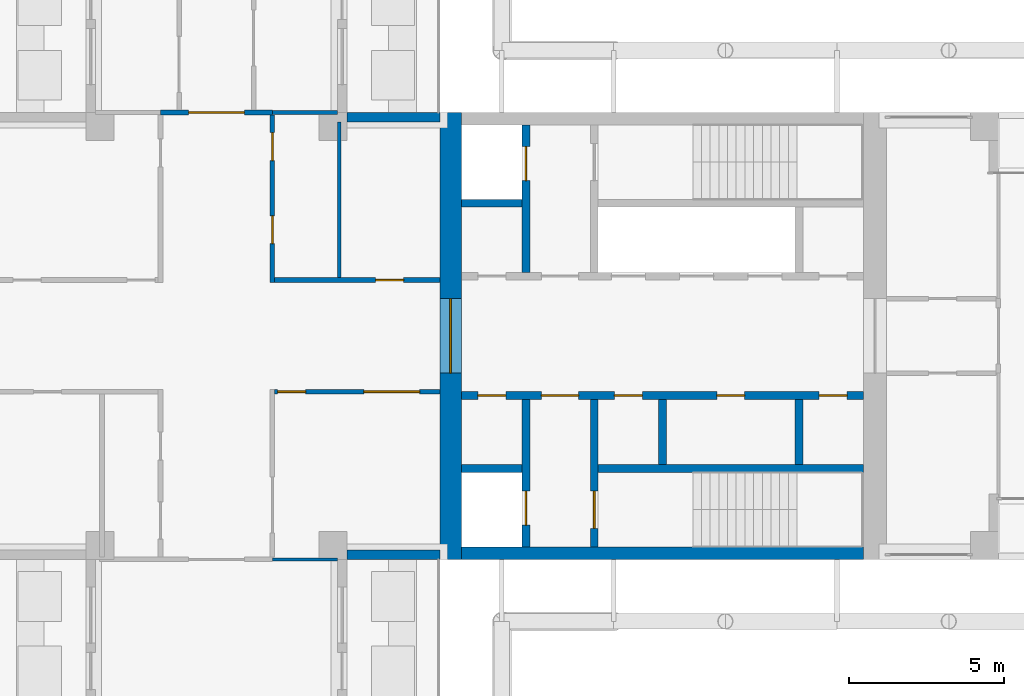
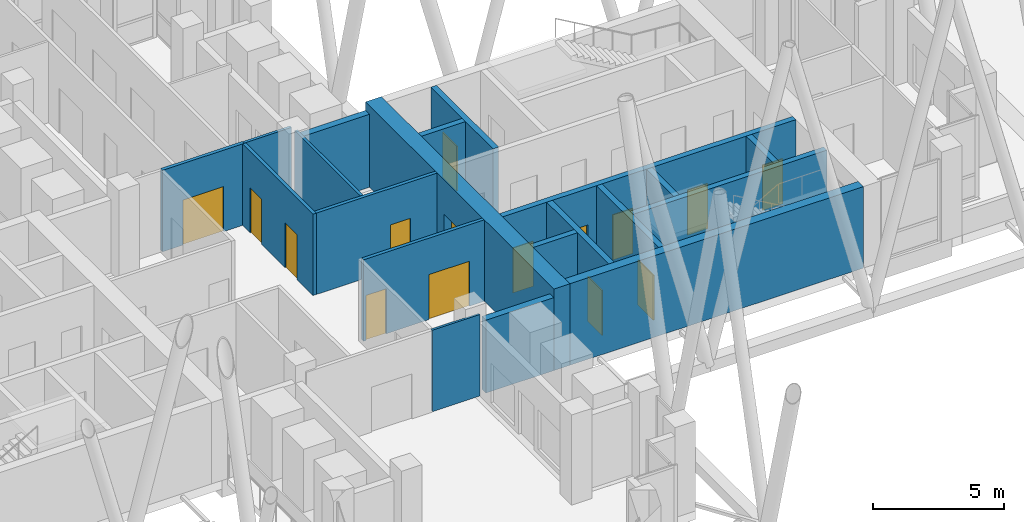
# One storey, part 13 of 19: 20 walls, 15 doors, 15 openings.
"""IFC4 building model written with IfcOpenShell, lengths in metres."""

from ifc_helpers import new_model, si_unit, direction, frame, frame_2d, origin, place, context, subcontext, project, spatial, rectangle, extrude, material, layer, layer_set, type_object, element, fill, save


model = new_model("IFC4")

# Units and contexts
model_context = context("Model", 3, precision=1e-05, world=origin(), true_north=direction((0.0, 1.0)))
body_context = subcontext(model_context, "Body", "Model", "MODEL_VIEW")
ifc_project = project(units=[si_unit("LENGTHUNIT", "METRE"), si_unit("AREAUNIT", "SQUARE_METRE"), si_unit("VOLUMEUNIT", "CUBIC_METRE"), si_unit("PLANEANGLEUNIT", "RADIAN"), si_unit("MASSUNIT", "GRAM", prefix="KILO")], contexts=[model_context])

# Site, building, storey
site_placement = place(None, origin())
site = spatial("IfcSite", under=ifc_project, at=site_placement, CompositionType="ELEMENT")
building_placement = place(site_placement, origin())
building = spatial("IfcBuilding", under=site, at=building_placement, Name="Fustian Cross Tower", CompositionType="ELEMENT")
storey_placement = place(building_placement, frame((0.0, 0.0, 166.5)))
storey = spatial("IfcBuildingStorey", under=building, at=storey_placement, Name="L52", CompositionType="ELEMENT", Elevation=166.5)

# Wall, opening, door
ifc_material_1 = material(Name="Plasterboard on steel stud", Category="steel")
ifc_layer_1 = layer(ifc_material_1, 0.14990234375)
ifc_layer_set_1 = layer_set([ifc_layer_1], Name="Plasterboard on steel stud")
wall_type_1 = type_object("IfcWallType", Name="COMPARTMENT WALL 150 EI 60", PredefinedType="PARTITIONING", material=ifc_layer_set_1)
wall_1_placement = place(storey_placement, frame((-1.800048828125, 7.199951171875, 0.0), z_axis=(0.0, 0.0, 1.0), x_axis=(1.0, 0.0, 0.0)))
wall_1 = element("IfcWall", 1, at=wall_1_placement, inside=storey, type_object=wall_type_1, Name="Partition 13", PredefinedType="PARTITIONING", context=body_context, shape_type="SweptSolid", body=[
    extrude(rectangle(XDim=3.60009765625, YDim=0.14990234375, at=frame_2d((1.800048828125, 0.0))), origin(), (0.0, 0.0, 1.0), 3.800048828125),
])
opening_1_placement = place(wall_1_placement, frame((0.89990234375, 0.0, 0.0)))
opening_1 = element("IfcOpeningElement", 2, at=opening_1_placement, cuts=wall_1, Name="Opening D24013", PredefinedType="OPENING", context=body_context, shape_type="SweptSolid", body=[
    extrude(rectangle(XDim=1.800048828125, YDim=2.10009765625, at=frame_2d((0.89990234375, 1.050048828125))), frame((0.0, 0.0849609375, 0.0), z_axis=(0.0, -1.0, 0.0), x_axis=(1.0, 0.0, 0.0)), (0.0, 0.0, 1.0), 0.169921875),
])
ifc_material_2 = material(Name="Timber fire door set", Category="wood")
door_type_1 = type_object("IfcDoorType", Name="FIRE DOUBLE DOOR 1800 FD30S", OperationType="DOUBLE_DOOR_DOUBLE_SWING", PredefinedType="DOOR", material=ifc_material_2)
door_1_placement = place(opening_1_placement, frame((1.800048828125, 0.0, 0.0), z_axis=(0.0, 0.0, 1.0), x_axis=(-1.0, 0.0, 0.0)))
door_1 = element("IfcDoor", 3, at=door_1_placement, inside=storey, type_object=door_type_1, Name="Door D24013", OperationType="DOUBLE_DOOR_DOUBLE_SWING", OverallHeight=2.10009765625, OverallWidth=1.800048828125, PredefinedType="DOOR", context=body_context, shape_type="SweptSolid", body=[
    extrude(rectangle(XDim=1.800048828125, YDim=2.10009765625, at=frame_2d((0.89990234375, 1.050048828125))), frame((0.0, 0.02490234375, 0.0), z_axis=(0.0, -1.0, 0.0), x_axis=(1.0, 0.0, 0.0)), (0.0, 0.0, 1.0), 0.050048828125),
])
fill(opening_1, door_1)

# Wall, openings, doors
wall_2_placement = place(storey_placement, frame((1.875, -1.800048828125, 0.0), z_axis=(0.0, 0.0, 1.0), x_axis=(1.0, 0.0, 0.0)))
wall_2 = element("IfcWall", 4, at=wall_2_placement, inside=storey, type_object=wall_type_1, Name="Partition 19", PredefinedType="PARTITIONING", context=body_context, shape_type="SweptSolid", body=[
    extrude(rectangle(XDim=5.324951171875, YDim=0.14990234375, at=frame_2d((2.66259765625, 0.0))), origin(), (0.0, 0.0, 1.0), 3.800048828125),
])
opening_2_placement = place(wall_2_placement, frame((0.10009765625, 0.0, 0.0)))
opening_2 = element("IfcOpeningElement", 5, at=opening_2_placement, cuts=wall_2, Name="Opening D24011", PredefinedType="OPENING", context=body_context, shape_type="SweptSolid", body=[
    extrude(rectangle(XDim=0.89990234375, YDim=2.10009765625, at=frame_2d((0.449951171875, 1.050048828125))), frame((0.0, 0.0849609375, 0.0), z_axis=(0.0, -1.0, 0.0), x_axis=(1.0, 0.0, 0.0)), (0.0, 0.0, 1.0), 0.169921875),
])
opening_3_placement = place(wall_2_placement, frame((2.875, 0.0, 0.0)))
opening_3 = element("IfcOpeningElement", 6, at=opening_3_placement, cuts=wall_2, Name="Opening D24012", PredefinedType="OPENING", context=body_context, shape_type="SweptSolid", body=[
    extrude(rectangle(XDim=1.800048828125, YDim=2.10009765625, at=frame_2d((0.89990234375, 1.050048828125))), frame((0.0, 0.0849609375, 0.0), z_axis=(0.0, -1.0, 0.0), x_axis=(1.0, 0.0, 0.0)), (0.0, 0.0, 1.0), 0.169921875),
])
door_2_placement = place(opening_3_placement, frame((1.800048828125, 0.0, 0.0), z_axis=(0.0, 0.0, 1.0), x_axis=(-1.0, 0.0, 0.0)))
door_2 = element("IfcDoor", 7, at=door_2_placement, inside=storey, type_object=door_type_1, Name="Door D24012", OperationType="DOUBLE_DOOR_DOUBLE_SWING", OverallHeight=2.10009765625, OverallWidth=1.800048828125, PredefinedType="DOOR", context=body_context, shape_type="SweptSolid", body=[
    extrude(rectangle(XDim=1.800048828125, YDim=2.10009765625, at=frame_2d((0.89990234375, 1.050048828125))), frame((0.0, 0.02490234375, 0.0), z_axis=(0.0, -1.0, 0.0), x_axis=(1.0, 0.0, 0.0)), (0.0, 0.0, 1.0), 0.050048828125),
])
fill(opening_3, door_2)
ifc_material_3 = material(Name="Timber fire door set", Category="wood")
door_type_2 = type_object("IfcDoorType", Name="FIRE SWING DOOR 900 FD30S", OperationType="SINGLE_SWING_LEFT", PredefinedType="DOOR", material=ifc_material_3)
door_3_placement = place(opening_2_placement, origin())
door_3 = element("IfcDoor", 8, at=door_3_placement, inside=storey, type_object=door_type_2, Name="Door D24011", OperationType="SINGLE_SWING_RIGHT", OverallHeight=2.10009765625, OverallWidth=0.89990234375, PredefinedType="DOOR", context=body_context, shape_type="SweptSolid", body=[
    extrude(rectangle(XDim=0.89990234375, YDim=2.10009765625, at=frame_2d((0.449951171875, 1.050048828125))), frame((0.0, 0.02490234375, 0.0), z_axis=(0.0, -1.0, 0.0), x_axis=(1.0, 0.0, 0.0)), (0.0, 0.0, 1.0), 0.050048828125),
])
fill(opening_2, door_3)

wall_3_placement = place(storey_placement, frame((1.800048828125, 1.72509765625, 0.0), z_axis=(0.0, 0.0, 1.0), x_axis=(0.0, 1.0, 0.0)))
wall_3 = element("IfcWall", 9, at=wall_3_placement, inside=storey, type_object=wall_type_1, Name="Partition 20", PredefinedType="PARTITIONING", context=body_context, shape_type="SweptSolid", body=[
    extrude(rectangle(XDim=5.39990234375, YDim=0.14990234375, at=frame_2d((2.699951171875, 0.0))), origin(), (0.0, 0.0, 1.0), 3.800048828125),
])
opening_4_placement = place(wall_3_placement, frame((1.2451171875, 0.0, 0.0)))
opening_4 = element("IfcOpeningElement", 10, at=opening_4_placement, cuts=wall_3, Name="Opening D24001", PredefinedType="OPENING", context=body_context, shape_type="SweptSolid", body=[
    extrude(rectangle(XDim=0.89990234375, YDim=2.10009765625, at=frame_2d((0.449951171875, 1.050048828125))), frame((0.0, 0.0849609375, 0.0), z_axis=(0.0, -1.0, 0.0), x_axis=(1.0, 0.0, 0.0)), (0.0, 0.0, 1.0), 0.169921875),
])
opening_5_placement = place(wall_3_placement, frame((3.925048828125, 0.0, 0.0)))
opening_5 = element("IfcOpeningElement", 11, at=opening_5_placement, cuts=wall_3, Name="Opening D24002", PredefinedType="OPENING", context=body_context, shape_type="SweptSolid", body=[
    extrude(rectangle(XDim=0.89990234375, YDim=2.10009765625, at=frame_2d((0.449951171875, 1.050048828125))), frame((0.0, 0.0849609375, 0.0), z_axis=(0.0, -1.0, 0.0), x_axis=(1.0, 0.0, 0.0)), (0.0, 0.0, 1.0), 0.169921875),
])
door_4_placement = place(opening_4_placement, frame((0.89990234375, 0.0, 0.0), z_axis=(0.0, 0.0, 1.0), x_axis=(-1.0, 0.0, 0.0)))
door_4 = element("IfcDoor", 12, at=door_4_placement, inside=storey, type_object=door_type_2, Name="Door D24001", OperationType="SINGLE_SWING_RIGHT", OverallHeight=2.10009765625, OverallWidth=0.89990234375, PredefinedType="DOOR", context=body_context, shape_type="SweptSolid", body=[
    extrude(rectangle(XDim=0.89990234375, YDim=2.10009765625, at=frame_2d((0.449951171875, 1.050048828125))), frame((0.0, 0.02490234375, 0.0), z_axis=(0.0, -1.0, 0.0), x_axis=(1.0, 0.0, 0.0)), (0.0, 0.0, 1.0), 0.050048828125),
])
fill(opening_4, door_4)
door_5_placement = place(opening_5_placement, frame((0.89990234375, 0.0, 0.0), z_axis=(0.0, 0.0, 1.0), x_axis=(-1.0, 0.0, 0.0)))
door_5 = element("IfcDoor", 13, at=door_5_placement, inside=storey, type_object=door_type_2, Name="Door D24002", OperationType="SINGLE_SWING_LEFT", OverallHeight=2.10009765625, OverallWidth=0.89990234375, PredefinedType="DOOR", context=body_context, shape_type="SweptSolid", body=[
    extrude(rectangle(XDim=0.89990234375, YDim=2.10009765625, at=frame_2d((0.449951171875, 1.050048828125))), frame((0.0, 0.02490234375, 0.0), z_axis=(0.0, -1.0, 0.0), x_axis=(1.0, 0.0, 0.0)), (0.0, 0.0, 1.0), 0.050048828125),
])
fill(opening_5, door_5)

# Wall, opening, door
wall_4_placement = place(storey_placement, frame((1.875, 1.800048828125, 0.0), z_axis=(0.0, 0.0, 1.0), x_axis=(1.0, 0.0, 0.0)))
wall_4 = element("IfcWall", 14, at=wall_4_placement, inside=storey, type_object=wall_type_1, Name="Partition 21", PredefinedType="PARTITIONING", context=body_context, shape_type="SweptSolid", body=[
    extrude(rectangle(XDim=5.324951171875, YDim=0.14990234375, at=frame_2d((2.66259765625, 0.0))), origin(), (0.0, 0.0, 1.0), 3.800048828125),
])
opening_6_placement = place(wall_4_placement, frame((3.2548828125, 0.0, 0.0)))
opening_6 = element("IfcOpeningElement", 15, at=opening_6_placement, cuts=wall_4, Name="Opening D24003", PredefinedType="OPENING", context=body_context, shape_type="SweptSolid", body=[
    extrude(rectangle(XDim=0.89990234375, YDim=2.10009765625, at=frame_2d((0.449951171875, 1.050048828125))), frame((0.0, 0.0849609375, 0.0), z_axis=(0.0, -1.0, 0.0), x_axis=(1.0, 0.0, 0.0)), (0.0, 0.0, 1.0), 0.169921875),
])
door_6_placement = place(opening_6_placement, origin())
door_6 = element("IfcDoor", 16, at=door_6_placement, inside=storey, type_object=door_type_2, Name="Door D24003", OperationType="SINGLE_SWING_LEFT", OverallHeight=2.10009765625, OverallWidth=0.89990234375, PredefinedType="DOOR", context=body_context, shape_type="SweptSolid", body=[
    extrude(rectangle(XDim=0.89990234375, YDim=2.10009765625, at=frame_2d((0.449951171875, 1.050048828125))), frame((0.0, 0.02490234375, 0.0), z_axis=(0.0, -1.0, 0.0), x_axis=(1.0, 0.0, 0.0)), (0.0, 0.0, 1.0), 0.050048828125),
])
fill(opening_6, door_6)

ifc_material_4 = material(Name="Concrete C50/60", Category="concrete")
ifc_layer_2 = layer(ifc_material_4, 0.699951171875)
ifc_layer_set_2 = layer_set([ifc_layer_2], Name="Concrete C50/60")
wall_type_2 = type_object("IfcWallType", Name="CORE END WALL 700 C50/60", PredefinedType="SHEAR", material=ifc_layer_set_2)
wall_5_placement = place(storey_placement, frame((7.550048828125, -7.199951171875, 0.0), z_axis=(0.0, 0.0, 1.0), x_axis=(0.0, 1.0, 0.0)))
wall_5 = element("IfcWall", 17, at=wall_5_placement, inside=storey, type_object=wall_type_2, Name="Core end wall", PredefinedType="SHEAR", context=body_context, shape_type="SweptSolid", body=[
    extrude(rectangle(XDim=14.39990234375, YDim=0.699951171875, at=frame_2d((7.199951171875, 0.0))), origin(), (0.0, 0.0, 1.0), 3.800048828125),
])
opening_7_placement = place(wall_5_placement, frame((6.0, 0.0, 0.0)))
opening_7 = element("IfcOpeningElement", 18, at=opening_7_placement, cuts=wall_5, Name="Opening CD-21-12", PredefinedType="OPENING", context=body_context, shape_type="SweptSolid", body=[
    extrude(rectangle(XDim=2.39990234375, YDim=2.199951171875, at=frame_2d((1.199951171875, 1.10009765625))), frame((0.0, 0.35986328125, 0.0), z_axis=(0.0, -1.0, 0.0), x_axis=(1.0, 0.0, 0.0)), (0.0, 0.0, 1.0), 0.719970703125),
])
ifc_material_5 = material(Name="Steel", Category="steel")
door_type_3 = type_object("IfcDoorType", Name="FIRE DOOR FD30S DOUBLE 2400X2200", OperationType="DOUBLE_DOOR_DOUBLE_SWING", PredefinedType="DOOR", material=ifc_material_5)
door_7_placement = place(opening_7_placement, origin())
door_7 = element("IfcDoor", 19, at=door_7_placement, inside=storey, type_object=door_type_3, Name="Core door CD-21-12", OperationType="DOUBLE_DOOR_DOUBLE_SWING", OverallHeight=2.199951171875, OverallWidth=2.39990234375, PredefinedType="DOOR", context=body_context, shape_type="SweptSolid", body=[
    extrude(rectangle(XDim=2.39990234375, YDim=2.199951171875, at=frame_2d((1.199951171875, 1.10009765625))), frame((0.0, 0.02490234375, 0.0), z_axis=(0.0, -1.0, 0.0), x_axis=(1.0, 0.0, 0.0)), (0.0, 0.0, 1.0), 0.050048828125),
])
fill(opening_7, door_7)

# Wall
ifc_material_6 = material(Name="Concrete C50/60", Category="concrete")
ifc_layer_3 = layer(ifc_material_6, 0.39990234375)
ifc_layer_set_3 = layer_set([ifc_layer_3], Name="Concrete C50/60")
wall_type_3 = type_object("IfcWallType", Name="CORE FACADE WALL 400 C50/60", PredefinedType="SHEAR", material=ifc_layer_set_3)
wall_6_placement = place(storey_placement, frame((7.89990234375, -7.0, 0.0), z_axis=(0.0, 0.0, 1.0), x_axis=(1.0, 0.0, 0.0)))
element("IfcWall", 20, at=wall_6_placement, inside=storey, type_object=wall_type_3, Name="Core facade wall", PredefinedType="SHEAR", context=body_context, shape_type="SweptSolid", body=[
    extrude(rectangle(XDim=12.9501953125, YDim=0.39990234375, at=frame_2d((6.47509765625, 0.0))), origin(), (0.0, 0.0, 1.0), 3.800048828125),
])

# Wall, openings, doors
ifc_material_7 = material(Name="Concrete C50/60", Category="concrete")
ifc_layer_4 = layer(ifc_material_7, 0.25)
ifc_layer_set_4 = layer_set([ifc_layer_4], Name="Concrete C50/60")
wall_type_4 = type_object("IfcWallType", Name="CORE LOBBY WALL 250 C50/60", PredefinedType="SHEAR", material=ifc_layer_set_4)
wall_7_placement = place(storey_placement, frame((7.89990234375, -1.925048828125, 0.0), z_axis=(0.0, 0.0, 1.0), x_axis=(1.0, 0.0, 0.0)))
wall_7 = element("IfcWall", 21, at=wall_7_placement, inside=storey, type_object=wall_type_4, Name="Core lobby wall", PredefinedType="SHEAR", context=body_context, shape_type="SweptSolid", body=[
    extrude(rectangle(XDim=12.9501953125, YDim=0.25, at=frame_2d((6.47509765625, 0.0))), origin(), (0.0, 0.0, 1.0), 3.800048828125),
])
opening_8_placement = place(wall_7_placement, frame((0.52490234375, 0.0, 0.0)))
opening_8 = element("IfcOpeningElement", 22, at=opening_8_placement, cuts=wall_7, Name="Opening CD-21-09", PredefinedType="OPENING", context=body_context, shape_type="SweptSolid", body=[
    extrude(rectangle(XDim=0.89990234375, YDim=2.10009765625, at=frame_2d((0.449951171875, 1.050048828125))), frame((0.0, 0.135009765625, 0.0), z_axis=(0.0, -1.0, 0.0), x_axis=(1.0, 0.0, 0.0)), (0.0, 0.0, 1.0), 0.27001953125),
])
opening_9_placement = place(wall_7_placement, frame((2.574951171875, 0.0, 0.0)))
opening_9 = element("IfcOpeningElement", 23, at=opening_9_placement, cuts=wall_7, Name="Opening CD-21-11", PredefinedType="OPENING", context=body_context, shape_type="SweptSolid", body=[
    extrude(rectangle(XDim=1.199951171875, YDim=2.10009765625, at=frame_2d((0.60009765625, 1.050048828125))), frame((0.0, 0.135009765625, 0.0), z_axis=(0.0, -1.0, 0.0), x_axis=(1.0, 0.0, 0.0)), (0.0, 0.0, 1.0), 0.27001953125),
])
opening_10_placement = place(wall_7_placement, frame((4.925048828125, 0.0, 0.0)))
opening_10 = element("IfcOpeningElement", 24, at=opening_10_placement, cuts=wall_7, Name="Opening CD-21-15", PredefinedType="OPENING", context=body_context, shape_type="SweptSolid", body=[
    extrude(rectangle(XDim=0.89990234375, YDim=2.10009765625, at=frame_2d((0.449951171875, 1.050048828125))), frame((0.0, 0.135009765625, 0.0), z_axis=(0.0, -1.0, 0.0), x_axis=(1.0, 0.0, 0.0)), (0.0, 0.0, 1.0), 0.27001953125),
])
opening_11_placement = place(wall_7_placement, frame((8.22509765625, 0.0, 0.0)))
opening_11 = element("IfcOpeningElement", 25, at=opening_11_placement, cuts=wall_7, Name="Opening CD-21-16", PredefinedType="OPENING", context=body_context, shape_type="SweptSolid", body=[
    extrude(rectangle(XDim=0.89990234375, YDim=2.10009765625, at=frame_2d((0.449951171875, 1.050048828125))), frame((0.0, 0.135009765625, 0.0), z_axis=(0.0, -1.0, 0.0), x_axis=(1.0, 0.0, 0.0)), (0.0, 0.0, 1.0), 0.27001953125),
])
opening_12_placement = place(wall_7_placement, frame((11.52490234375, 0.0, 0.0)))
opening_12 = element("IfcOpeningElement", 26, at=opening_12_placement, cuts=wall_7, Name="Opening CD-21-17", PredefinedType="OPENING", context=body_context, shape_type="SweptSolid", body=[
    extrude(rectangle(XDim=0.89990234375, YDim=2.10009765625, at=frame_2d((0.449951171875, 1.050048828125))), frame((0.0, 0.135009765625, 0.0), z_axis=(0.0, -1.0, 0.0), x_axis=(1.0, 0.0, 0.0)), (0.0, 0.0, 1.0), 0.27001953125),
])
ifc_material_8 = material(Name="Steel", Category="steel")
door_type_4 = type_object("IfcDoorType", Name="FIRE DOOR FD30S 1200X2100", OperationType="SINGLE_SWING_LEFT", PredefinedType="DOOR", material=ifc_material_8)
door_8_placement = place(opening_9_placement, frame((1.199951171875, 0.0, 0.0), z_axis=(0.0, 0.0, 1.0), x_axis=(-1.0, 0.0, 0.0)))
door_8 = element("IfcDoor", 27, at=door_8_placement, inside=storey, type_object=door_type_4, Name="Core door CD-21-11", OperationType="SINGLE_SWING_RIGHT", OverallHeight=2.10009765625, OverallWidth=1.199951171875, PredefinedType="DOOR", context=body_context, shape_type="SweptSolid", body=[
    extrude(rectangle(XDim=1.199951171875, YDim=2.10009765625, at=frame_2d((0.60009765625, 1.050048828125))), frame((0.0, 0.02490234375, 0.0), z_axis=(0.0, -1.0, 0.0), x_axis=(1.0, 0.0, 0.0)), (0.0, 0.0, 1.0), 0.050048828125),
])
fill(opening_9, door_8)
ifc_material_9 = material(Name="Steel", Category="steel")
door_type_5 = type_object("IfcDoorType", Name="FIRE DOOR FD30S 900X2100", OperationType="SINGLE_SWING_LEFT", PredefinedType="DOOR", material=ifc_material_9)
door_9_placement = place(opening_8_placement, frame((0.89990234375, 0.0, 0.0), z_axis=(0.0, 0.0, 1.0), x_axis=(-1.0, 0.0, 0.0)))
door_9 = element("IfcDoor", 28, at=door_9_placement, inside=storey, type_object=door_type_5, Name="Core door CD-21-09", OperationType="SINGLE_SWING_RIGHT", OverallHeight=2.10009765625, OverallWidth=0.89990234375, PredefinedType="DOOR", context=body_context, shape_type="SweptSolid", body=[
    extrude(rectangle(XDim=0.89990234375, YDim=2.10009765625, at=frame_2d((0.449951171875, 1.050048828125))), frame((0.0, 0.02490234375, 0.0), z_axis=(0.0, -1.0, 0.0), x_axis=(1.0, 0.0, 0.0)), (0.0, 0.0, 1.0), 0.050048828125),
])
fill(opening_8, door_9)
door_10_placement = place(opening_10_placement, frame((0.89990234375, 0.0, 0.0), z_axis=(0.0, 0.0, 1.0), x_axis=(-1.0, 0.0, 0.0)))
door_10 = element("IfcDoor", 29, at=door_10_placement, inside=storey, type_object=door_type_5, Name="Core door CD-21-15", OperationType="SINGLE_SWING_RIGHT", OverallHeight=2.10009765625, OverallWidth=0.89990234375, PredefinedType="DOOR", context=body_context, shape_type="SweptSolid", body=[
    extrude(rectangle(XDim=0.89990234375, YDim=2.10009765625, at=frame_2d((0.449951171875, 1.050048828125))), frame((0.0, 0.02490234375, 0.0), z_axis=(0.0, -1.0, 0.0), x_axis=(1.0, 0.0, 0.0)), (0.0, 0.0, 1.0), 0.050048828125),
])
fill(opening_10, door_10)
door_11_placement = place(opening_11_placement, frame((0.89990234375, 0.0, 0.0), z_axis=(0.0, 0.0, 1.0), x_axis=(-1.0, 0.0, 0.0)))
door_11 = element("IfcDoor", 30, at=door_11_placement, inside=storey, type_object=door_type_5, Name="Core door CD-21-16", OperationType="SINGLE_SWING_LEFT", OverallHeight=2.10009765625, OverallWidth=0.89990234375, PredefinedType="DOOR", context=body_context, shape_type="SweptSolid", body=[
    extrude(rectangle(XDim=0.89990234375, YDim=2.10009765625, at=frame_2d((0.449951171875, 1.050048828125))), frame((0.0, 0.02490234375, 0.0), z_axis=(0.0, -1.0, 0.0), x_axis=(1.0, 0.0, 0.0)), (0.0, 0.0, 1.0), 0.050048828125),
])
fill(opening_11, door_11)
door_12_placement = place(opening_12_placement, frame((0.89990234375, 0.0, 0.0), z_axis=(0.0, 0.0, 1.0), x_axis=(-1.0, 0.0, 0.0)))
door_12 = element("IfcDoor", 31, at=door_12_placement, inside=storey, type_object=door_type_5, Name="Core door CD-21-17", OperationType="SINGLE_SWING_RIGHT", OverallHeight=2.10009765625, OverallWidth=0.89990234375, PredefinedType="DOOR", context=body_context, shape_type="SweptSolid", body=[
    extrude(rectangle(XDim=0.89990234375, YDim=2.10009765625, at=frame_2d((0.449951171875, 1.050048828125))), frame((0.0, 0.02490234375, 0.0), z_axis=(0.0, -1.0, 0.0), x_axis=(1.0, 0.0, 0.0)), (0.0, 0.0, 1.0), 0.050048828125),
])
fill(opening_12, door_12)

# Wall
ifc_material_10 = material(Name="Concrete C50/60", Category="concrete")
ifc_layer_5 = layer(ifc_material_10, 0.25)
ifc_layer_set_5 = layer_set([ifc_layer_5], Name="Concrete C50/60")
wall_type_5 = type_object("IfcWallType", Name="CORE SHAFT WALL 250 C50/60", PredefinedType="SHEAR", material=ifc_layer_set_5)
wall_8_placement = place(storey_placement, frame((7.89990234375, 4.27490234375, 0.0), z_axis=(0.0, 0.0, 1.0), x_axis=(1.0, 0.0, 0.0)))
element("IfcWall", 32, at=wall_8_placement, inside=storey, type_object=wall_type_5, Name="Core shaft wall", PredefinedType="SHEAR", context=body_context, shape_type="SweptSolid", body=[
    extrude(rectangle(XDim=1.9501953125, YDim=0.25, at=frame_2d((0.97509765625, 0.0))), origin(), (0.0, 0.0, 1.0), 3.800048828125),
])

# Wall, opening, door
wall_9_placement = place(storey_placement, frame((9.97509765625, 2.050048828125, 0.0), z_axis=(0.0, 0.0, 1.0), x_axis=(0.0, 1.0, 0.0)))
wall_9 = element("IfcWall", 33, at=wall_9_placement, inside=storey, type_object=wall_type_5, Name="Core shaft wall", PredefinedType="SHEAR", context=body_context, shape_type="SweptSolid", body=[
    extrude(rectangle(XDim=4.75, YDim=0.25, at=frame_2d((2.375, 0.0))), origin(), (0.0, 0.0, 1.0), 3.800048828125),
])
opening_13_placement = place(wall_9_placement, frame((2.949951171875, 0.0, 0.0)))
opening_13 = element("IfcOpeningElement", 34, at=opening_13_placement, cuts=wall_9, Name="Opening LD", PredefinedType="OPENING", context=body_context, shape_type="SweptSolid", body=[
    extrude(rectangle(XDim=1.10009765625, YDim=2.10009765625, at=frame_2d((0.550048828125, 1.050048828125))), frame((0.0, 0.135009765625, 0.0), z_axis=(0.0, -1.0, 0.0), x_axis=(1.0, 0.0, 0.0)), (0.0, 0.0, 1.0), 0.27001953125),
])
ifc_material_11 = material(Name="Stainless steel", Category="steel")
door_type_6 = type_object("IfcDoorType", Name="LIFT LANDING DOOR 1100X2100", OperationType="SLIDING_TO_LEFT", PredefinedType="DOOR", material=ifc_material_11)
door_13_placement = place(opening_13_placement, origin())
door_13 = element("IfcDoor", 35, at=door_13_placement, inside=storey, type_object=door_type_6, Name="Landing door FL1", OperationType="SLIDING_TO_LEFT", OverallHeight=2.10009765625, OverallWidth=1.10009765625, PredefinedType="DOOR", context=body_context, shape_type="SweptSolid", body=[
    extrude(rectangle(XDim=1.10009765625, YDim=2.10009765625, at=frame_2d((0.550048828125, 1.050048828125))), frame((0.0, 0.02490234375, 0.0), z_axis=(0.0, -1.0, 0.0), x_axis=(1.0, 0.0, 0.0)), (0.0, 0.0, 1.0), 0.050048828125),
])
fill(opening_13, door_13)

# Walls
wall_10_placement = place(storey_placement, frame((7.89990234375, -4.27490234375, 0.0), z_axis=(0.0, 0.0, 1.0), x_axis=(1.0, 0.0, 0.0)))
element("IfcWall", 36, at=wall_10_placement, inside=storey, type_object=wall_type_5, Name="Core shaft wall", PredefinedType="SHEAR", context=body_context, shape_type="SweptSolid", body=[
    extrude(rectangle(XDim=1.9501953125, YDim=0.25, at=frame_2d((0.97509765625, 0.0))), origin(), (0.0, 0.0, 1.0), 3.800048828125),
])
wall_11_placement = place(storey_placement, frame((12.300048828125, -4.27490234375, 0.0), z_axis=(0.0, 0.0, 1.0), x_axis=(1.0, 0.0, 0.0)))
element("IfcWall", 37, at=wall_11_placement, inside=storey, type_object=wall_type_5, Name="Core shaft wall", PredefinedType="SHEAR", context=body_context, shape_type="SweptSolid", body=[
    extrude(rectangle(XDim=8.550048828125, YDim=0.25, at=frame_2d((4.27490234375, 0.0))), origin(), (0.0, 0.0, 1.0), 3.800048828125),
])

# Wall, opening, door
wall_12_placement = place(storey_placement, frame((9.97509765625, -2.050048828125, 0.0), z_axis=(0.0, 0.0, 1.0), x_axis=(0.0, -1.0, 0.0)))
wall_12 = element("IfcWall", 38, at=wall_12_placement, inside=storey, type_object=wall_type_5, Name="Core shaft wall", PredefinedType="SHEAR", context=body_context, shape_type="SweptSolid", body=[
    extrude(rectangle(XDim=4.75, YDim=0.25, at=frame_2d((2.375, 0.0))), origin(), (0.0, 0.0, 1.0), 3.800048828125),
])
opening_14_placement = place(wall_12_placement, frame((2.949951171875, 0.0, 0.0)))
opening_14 = element("IfcOpeningElement", 39, at=opening_14_placement, cuts=wall_12, Name="Opening LD", PredefinedType="OPENING", context=body_context, shape_type="SweptSolid", body=[
    extrude(rectangle(XDim=1.10009765625, YDim=2.10009765625, at=frame_2d((0.550048828125, 1.050048828125))), frame((0.0, 0.135009765625, 0.0), z_axis=(0.0, -1.0, 0.0), x_axis=(1.0, 0.0, 0.0)), (0.0, 0.0, 1.0), 0.27001953125),
])
door_14_placement = place(opening_14_placement, origin())
door_14 = element("IfcDoor", 40, at=door_14_placement, inside=storey, type_object=door_type_6, Name="Landing door SV1", OperationType="SLIDING_TO_LEFT", OverallHeight=2.10009765625, OverallWidth=1.10009765625, PredefinedType="DOOR", context=body_context, shape_type="SweptSolid", body=[
    extrude(rectangle(XDim=1.10009765625, YDim=2.10009765625, at=frame_2d((0.550048828125, 1.050048828125))), frame((0.0, 0.02490234375, 0.0), z_axis=(0.0, -1.0, 0.0), x_axis=(1.0, 0.0, 0.0)), (0.0, 0.0, 1.0), 0.050048828125),
])
fill(opening_14, door_14)

wall_13_placement = place(storey_placement, frame((12.175048828125, -2.050048828125, 0.0), z_axis=(0.0, 0.0, 1.0), x_axis=(0.0, -1.0, 0.0)))
wall_13 = element("IfcWall", 41, at=wall_13_placement, inside=storey, type_object=wall_type_5, Name="Core shaft wall", PredefinedType="SHEAR", context=body_context, shape_type="SweptSolid", body=[
    extrude(rectangle(XDim=4.75, YDim=0.25, at=frame_2d((2.375, 0.0))), origin(), (0.0, 0.0, 1.0), 3.800048828125),
])
opening_15_placement = place(wall_13_placement, frame((2.949951171875, 0.0, 0.0)))
opening_15 = element("IfcOpeningElement", 42, at=opening_15_placement, cuts=wall_13, Name="Opening CD-21-07", PredefinedType="OPENING", context=body_context, shape_type="SweptSolid", body=[
    extrude(rectangle(XDim=1.199951171875, YDim=2.10009765625, at=frame_2d((0.60009765625, 1.050048828125))), frame((0.0, 0.135009765625, 0.0), z_axis=(0.0, -1.0, 0.0), x_axis=(1.0, 0.0, 0.0)), (0.0, 0.0, 1.0), 0.27001953125),
])
ifc_material_12 = material(Name="Steel", Category="steel")
door_type_7 = type_object("IfcDoorType", Name="FIRE DOOR FD60S 1200X2100", OperationType="SINGLE_SWING_LEFT", PredefinedType="DOOR", material=ifc_material_12)
door_15_placement = place(opening_15_placement, origin())
door_15 = element("IfcDoor", 43, at=door_15_placement, inside=storey, type_object=door_type_7, Name="Core door CD-21-07", OperationType="SINGLE_SWING_LEFT", OverallHeight=2.10009765625, OverallWidth=1.199951171875, PredefinedType="DOOR", context=body_context, shape_type="SweptSolid", body=[
    extrude(rectangle(XDim=1.199951171875, YDim=2.10009765625, at=frame_2d((0.60009765625, 1.050048828125))), frame((0.0, 0.02490234375, 0.0), z_axis=(0.0, -1.0, 0.0), x_axis=(1.0, 0.0, 0.0)), (0.0, 0.0, 1.0), 0.050048828125),
])
fill(opening_15, door_15)

# Walls
ifc_material_13 = material(Name="Plasterboard on steel stud", Category="steel")
ifc_layer_6 = layer(ifc_material_13, 0.10009765625)
ifc_layer_set_6 = layer_set([ifc_layer_6], Name="Plasterboard on steel stud")
wall_type_6 = type_object("IfcWallType", Name="PARTITION 100 STUD", PredefinedType="PARTITIONING", material=ifc_layer_set_6)
wall_14_placement = place(storey_placement, frame((1.800048828125, -7.199951171875, 0.0), z_axis=(0.0, 0.0, 1.0), x_axis=(1.0, 0.0, 0.0)))
element("IfcWall", 44, at=wall_14_placement, inside=storey, type_object=wall_type_6, Name="Partition 18", PredefinedType="PARTITIONING", context=body_context, shape_type="SweptSolid", body=[
    extrude(rectangle(XDim=2.099853515625, YDim=0.10009765625, at=frame_2d((1.0498046875, 0.0))), origin(), (0.0, 0.0, 1.0), 3.800048828125),
])
ifc_material_14 = material(Name="Concrete C40/50", Category="concrete")
ifc_layer_7 = layer(ifc_material_14, 0.25)
ifc_layer_set_7 = layer_set([ifc_layer_7], Name="Concrete C40/50")
wall_type_7 = type_object("IfcWallType", Name="SHAFT PARTITION WALL 250 C40/50", PredefinedType="PARTITIONING", material=ifc_layer_set_7)
for number, where, z_axis, x_axis, name in (
    (45, (14.375, -2.050048828125, 0.0), (0.0, 0.0, 1.0), (0.0, -1.0, 0.0), "Core shaft wall"),
    (46, (18.77490234375, -2.050048828125, 0.0), (0.0, 0.0, 1.0), (0.0, -1.0, 0.0), "Core shaft wall"),
):
    element("IfcWall", number, at=place(storey_placement, frame(where, z_axis=z_axis, x_axis=x_axis)), inside=storey, type_object=wall_type_7, Name=name, PredefinedType="PARTITIONING", context=body_context, shape_type="SweptSolid", body=[
        extrude(rectangle(XDim=2.099853515625, YDim=0.25, at=frame_2d((1.0498046875, 0.0))), origin(), (0.0, 0.0, 1.0), 3.800048828125),
    ])
ifc_material_15 = material(Name="Plasterboard on steel stud", Category="steel")
ifc_layer_8 = layer(ifc_material_15, 0.125)
ifc_layer_set_8 = layer_set([ifc_layer_8], Name="Plasterboard on steel stud")
wall_type_8 = type_object("IfcWallType", Name="WET WALL 125 STUD", PredefinedType="PARTITIONING", material=ifc_layer_set_8)
wall_15_placement = place(storey_placement, frame((1.800048828125, 7.199951171875, 0.0), z_axis=(0.0, 0.0, 1.0), x_axis=(1.0, 0.0, 0.0)))
element("IfcWall", 47, at=wall_15_placement, inside=storey, type_object=wall_type_8, Name="Partition 22", PredefinedType="PARTITIONING", context=body_context, shape_type="SweptSolid", body=[
    extrude(rectangle(XDim=2.099853515625, YDim=0.125, at=frame_2d((1.0498046875, 0.0))), origin(), (0.0, 0.0, 1.0), 3.800048828125),
])
wall_16_placement = place(storey_placement, frame((3.9599609375, 1.875, 0.0), z_axis=(0.0, 0.0, 1.0), x_axis=(0.0, 1.0, 0.0)))
element("IfcWall", 48, at=wall_16_placement, inside=storey, type_object=wall_type_8, Name="Partition 23", PredefinedType="PARTITIONING", context=body_context, shape_type="SweptSolid", body=[
    extrude(rectangle(XDim=5.02490234375, YDim=0.125, at=frame_2d((2.512451171875, 0.0))), origin(), (0.0, 0.0, 1.0), 3.800048828125),
])
ifc_material_16 = material(Name="Dark aluminium cladding on insulated backing wall", Category="aluminium")
ifc_layer_9 = layer(ifc_material_16, 0.300048828125)
ifc_layer_set_9 = layer_set([ifc_layer_9], Name="Dark aluminium cladding on insulated backing wall")
wall_type_9 = type_object("IfcWallType", Name="XW1 EXTERNAL WALL 300", PredefinedType="SOLIDWALL", material=ifc_layer_set_9)
for number, where, z_axis, x_axis, name in (
    (49, (7.199951171875, 7.050048828125, 0.0), (0.0, 0.0, 1.0), (-1.0, 0.0, 0.0), "External wall"),
    (50, (4.199951171875, -7.050048828125, 0.0), (0.0, 0.0, 1.0), (1.0, 0.0, 0.0), "External wall"),
):
    element("IfcWall", number, at=place(storey_placement, frame(where, z_axis=z_axis, x_axis=x_axis)), inside=storey, type_object=wall_type_9, Name=name, PredefinedType="SOLIDWALL", context=body_context, shape_type="SweptSolid", body=[
        extrude(rectangle(XDim=3.0, YDim=0.300048828125, at=frame_2d((1.5, 0.0))), origin(), (0.0, 0.0, 1.0), 3.39990234375),
    ])

save(model, "model.ifc")
